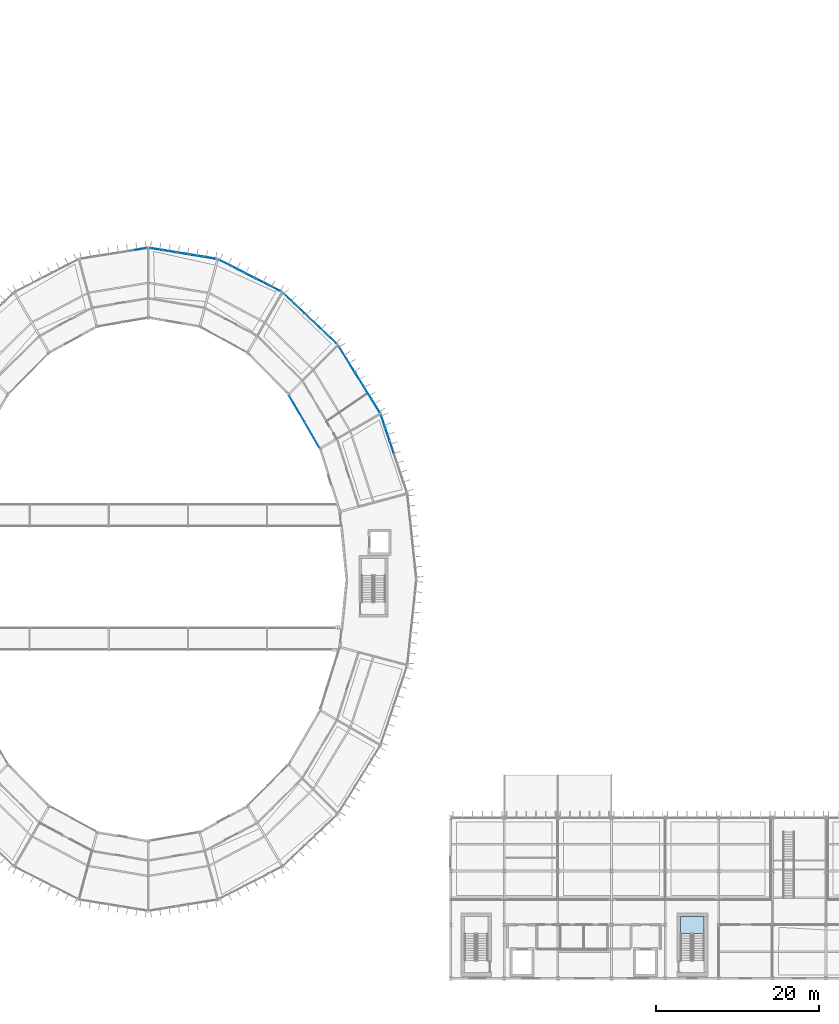
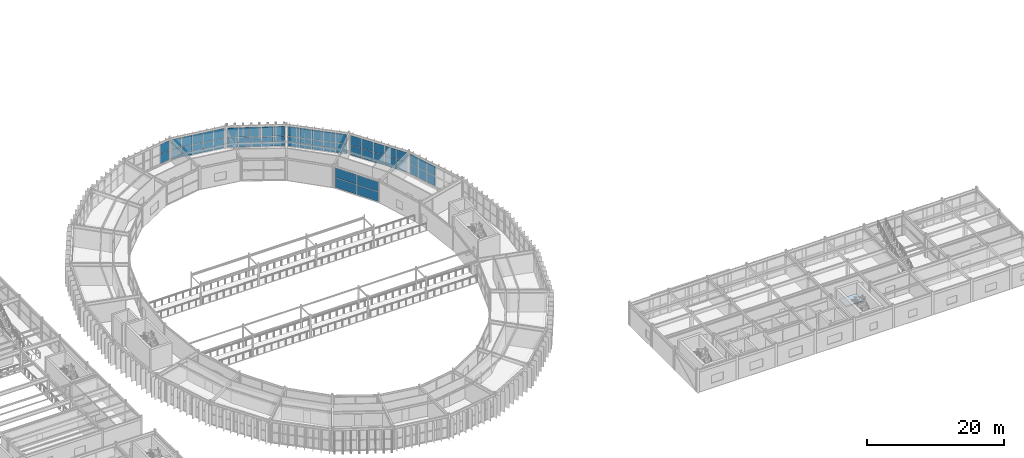
# One storey, part 105 of 148: 52 plates, 1 slab, 8 elements without a shape of their own.
"""IFC4 building model written with IfcOpenShell, lengths in metres."""

import ifcopenshell
import ifcopenshell.guid

model = None  # the IFC model being written
_history = None  # IfcOwnerHistory: only IFC2X3 demands one
_inside = {}  # id of a spatial element -> (the spatial element, [elements in it])
_under = {}  # id of a project, library or spatial element -> (it, [spatial elements below it])
_declared = {}  # id of a project -> (the project, [libraries it declares])
_typed = {}  # id of a type object -> (the type object, [elements of that type])
_made_of = {}  # id of a material, layer set ... -> (it, [elements and type objects made of it])


def new_model(schema):
    """Start an empty IFC model of exactly this schema.

    Asked for "IFC4X3", IfcOpenShell would pick the latest addendum, in which some entities
    have other attributes; the version numbers below select the first issue.
    IFC2X3 requires an IfcOwnerHistory on every rooted entity: one is made here for all.
    """
    global model, _history
    if schema == "IFC4X3":
        model = ifcopenshell.file(schema_version=(4, 3, 0, 0))
    else:
        model = ifcopenshell.file(schema=schema)
    _inside.clear()
    _under.clear()
    _declared.clear()
    _typed.clear()
    _made_of.clear()
    _history = None
    if model.schema == "IFC2X3":
        org = make("IfcOrganization", Name="unknown")
        user = make(
            "IfcPersonAndOrganization",
            ThePerson=make("IfcPerson", FamilyName="unknown"),
            TheOrganization=org,
        )
        app = make(
            "IfcApplication",
            ApplicationDeveloper=org,
            Version="unknown",
            ApplicationFullName="unknown",
            ApplicationIdentifier="unknown",
        )
        _history = make(
            "IfcOwnerHistory",
            OwningUser=user,
            OwningApplication=app,
            ChangeAction="ADDED",
            CreationDate=0,
        )
    return model


def make(cls, **values):
    """One entity of the class cls with the attributes given. An attribute that is None is left unset."""
    return model.create_entity(
        cls, **{name: value for name, value in values.items() if value is not None}
    )


def rooted(cls, **values):
    """An entity with a GlobalId (a new one), such as an element, a storey or a relation."""
    return make(cls, GlobalId=ifcopenshell.guid.new(), OwnerHistory=_history, **values)


def si_unit(unit_type, name, prefix=None):
    """IfcSIUnit, for example si_unit("LENGTHUNIT", "METRE", prefix="MILLI")."""
    return make("IfcSIUnit", UnitType=unit_type, Prefix=prefix, Name=name)


def assignment(units):
    """IfcUnitAssignment: the units of a project."""
    return None if units is None else make("IfcUnitAssignment", Units=units)


def point(xyz):
    """IfcCartesianPoint."""
    return None if xyz is None else make("IfcCartesianPoint", Coordinates=xyz)


def direction(xyz):
    """IfcDirection."""
    return None if xyz is None else make("IfcDirection", DirectionRatios=xyz)


def frame(location, z_axis=None, x_axis=None):
    """IfcAxis2Placement3D, a coordinate frame: its origin and axes. An axis left out is left unset."""
    return make(
        "IfcAxis2Placement3D",
        Location=point(location),
        Axis=direction(z_axis),
        RefDirection=direction(x_axis),
    )


def frame_2d(location, x_axis=None):
    """IfcAxis2Placement2D, a coordinate frame in the plane: its origin and x axis."""
    return make(
        "IfcAxis2Placement2D", Location=point(location), RefDirection=direction(x_axis)
    )


def origin():
    """The frame at (0, 0, 0) with its axes left unset."""
    return frame((0.0, 0.0, 0.0))


def origin_2d():
    """The frame at (0, 0) in the plane with its x axis left unset."""
    return frame_2d((0.0, 0.0))


def place(relative_to, where):
    """IfcLocalPlacement: puts the frame where relative to a parent placement (None: the world)."""
    return make(
        "IfcLocalPlacement", PlacementRelTo=relative_to, RelativePlacement=where
    )


def context(
    kind, dimensions, precision=None, world=None, true_north=None, identifier=None
):
    """IfcGeometricRepresentationContext, for example the 3D "Model" context."""
    return make(
        "IfcGeometricRepresentationContext",
        ContextIdentifier=identifier,
        ContextType=kind,
        CoordinateSpaceDimension=dimensions,
        Precision=precision,
        WorldCoordinateSystem=world,
        TrueNorth=true_north,
    )


def subcontext(parent, identifier, kind, view, scale=None):
    """IfcGeometricRepresentationSubContext, for example "Body" below "Model"."""
    return make(
        "IfcGeometricRepresentationSubContext",
        ContextIdentifier=identifier,
        ContextType=kind,
        ParentContext=parent,
        TargetScale=scale,
        TargetView=view,
    )


def project(units=None, contexts=None):
    """IfcProject with its units and contexts."""
    return rooted(
        "IfcProject",
        Name="project",
        RepresentationContexts=contexts,
        UnitsInContext=assignment(units),
    )


def spatial(cls, under=None, at=None, **own):
    """A site, building, storey or space (cls), placed at a placement, below another one or the project."""
    s = rooted(cls, ObjectPlacement=at, **own)
    if under is not None:
        _under.setdefault(under.id(), (under, []))[1].append(s)
    return s


def polyline(points):
    """IfcPolyline through the points."""
    return make("IfcPolyline", Points=[point(p) for p in points])


def profile(cls, at=None, kind="AREA", **sizes):
    """A parametric profile (cls). Its sizes go by their IFC names, for example OverallWidth=200.0."""
    return make(cls, ProfileType=kind, Position=at, **sizes)


def rectangle(**sizes):
    """IfcRectangleProfileDef."""
    return profile("IfcRectangleProfileDef", **sizes)


def outline(outer, holes=None, kind="AREA"):
    """IfcArbitraryClosedProfileDef: a profile drawn as a closed curve; with holes, ...WithVoids."""
    if holes is None:
        return make("IfcArbitraryClosedProfileDef", ProfileType=kind, OuterCurve=outer)
    return make(
        "IfcArbitraryProfileDefWithVoids",
        ProfileType=kind,
        OuterCurve=outer,
        InnerCurves=holes,
    )


def extrude(swept, where, along, depth):
    """IfcExtrudedAreaSolid: the profile swept, set in the frame where, extruded along a direction by depth."""
    return make(
        "IfcExtrudedAreaSolid",
        SweptArea=swept,
        Position=where,
        ExtrudedDirection=direction(along),
        Depth=depth,
    )


def shape(context_of_items, identifier, shape_type, items):
    """IfcShapeRepresentation: the items that make up one representation, for example the "Body"."""
    return make(
        "IfcShapeRepresentation",
        ContextOfItems=context_of_items,
        RepresentationIdentifier=identifier,
        RepresentationType=shape_type,
        Items=items,
    )


def material(Name=None, Category=None):
    """IfcMaterial."""
    return make("IfcMaterial", Name=Name, Category=Category)


def layer(
    of_material, thickness, ventilated=None, Name=None, Category=None, Priority=None
):
    """IfcMaterialLayer: one layer of a wall or slab, of a material (None: an air gap)."""
    return make(
        "IfcMaterialLayer",
        Material=of_material,
        LayerThickness=thickness,
        IsVentilated=ventilated,
        Name=Name,
        Category=Category,
        Priority=Priority,
    )


def layer_set(layers, Name=None):
    """IfcMaterialLayerSet."""
    return make("IfcMaterialLayerSet", MaterialLayers=layers, LayerSetName=Name)


def made_of(thing, what):
    """Note that an element or type object is made of a material, layer set ...; save() writes the relation."""
    if what is not None:
        _made_of.setdefault(what.id(), (what, []))[1].append(thing)
    return thing


def type_object(cls, material=None, **own):
    """A type object (cls), such as IfcWallType, which elements share."""
    return made_of(rooted(cls, **own), material)


def element(
    cls,
    number,
    at=None,
    inside=None,
    cuts=None,
    type_object=None,
    material=None,
    context=None,
    identifier="Body",
    shape_type=None,
    held_by="IfcProductDefinitionShape",
    body=None,
    shapes=None,
    **own,
):
    """One element of the class cls, such as IfcWall. Its Tag is "e" and its number.

    at: its placement. inside: the storey or other place that contains it. cuts: it is an
    opening in that element (IfcRelVoidsElement). A single representation is given by context,
    identifier, shape_type and body (its items); several are given by shapes. held_by: the class
    of the entity that holds the representations. save() writes the other relations.
    """
    e = rooted(cls, Tag="e%d" % number, ObjectPlacement=at, **own)
    if body is not None:
        shapes = [shape(context, identifier, shape_type, body)]
    if shapes is not None:
        e.Representation = make(held_by, Representations=shapes)
    if inside is not None:
        _inside.setdefault(inside.id(), (inside, []))[1].append(e)
    if cuts is not None:
        rooted(
            "IfcRelVoidsElement", RelatingBuildingElement=cuts, RelatedOpeningElement=e
        )
    if type_object is not None:
        _typed.setdefault(type_object.id(), (type_object, []))[1].append(e)
    return made_of(e, material)


def aggregate(whole, parts):
    """IfcRelAggregates: a whole, such as a stair, and the parts it consists of."""
    return rooted("IfcRelAggregates", RelatingObject=whole, RelatedObjects=parts)


def save(model, path):
    """Write the relations noted so far, then the file.

    IfcRelAggregates (storeys below a building ...), IfcRelContainedInSpatialStructure (elements
    in a storey), IfcRelDefinesByType, IfcRelAssociatesMaterial and IfcRelDeclares: one each for
    every whole, place, type object, material and project.
    """
    for whole, parts in _under.values():
        aggregate(whole, parts)
    for where, things in _inside.values():
        rooted(
            "IfcRelContainedInSpatialStructure",
            RelatedElements=things,
            RelatingStructure=where,
        )
    for kind, things in _typed.values():
        rooted("IfcRelDefinesByType", RelatedObjects=things, RelatingType=kind)
    for what, things in _made_of.values():
        rooted("IfcRelAssociatesMaterial", RelatedObjects=things, RelatingMaterial=what)
    for by, libraries in _declared.values():
        rooted("IfcRelDeclares", RelatingContext=by, RelatedDefinitions=libraries)
    model.write(path)


model = new_model("IFC4")

# Units and contexts
model_context = context("Model", 3, precision=1e-05, world=origin(), true_north=direction((0.0, 1.0)))
body_context = subcontext(model_context, "Body", "Model", "MODEL_VIEW")
ifc_project = project(units=[si_unit("LENGTHUNIT", "METRE"), si_unit("AREAUNIT", "SQUARE_METRE"), si_unit("VOLUMEUNIT", "CUBIC_METRE"), si_unit("PLANEANGLEUNIT", "RADIAN"), si_unit("MASSUNIT", "GRAM", prefix="KILO")], contexts=[model_context])

# Site, building, storey
site_placement = place(None, origin())
site = spatial("IfcSite", under=ifc_project, at=site_placement, CompositionType="ELEMENT")
building_placement = place(site_placement, origin())
building = spatial("IfcBuilding", under=site, at=building_placement, Name="Karori Crest Natural Sciences Institute", CompositionType="ELEMENT")
storey_placement = place(building_placement, frame((0.0, 0.0, 4.89990234375)))
storey = spatial("IfcBuildingStorey", under=building, at=storey_placement, Name="L01", CompositionType="ELEMENT", Elevation=4.89990234375)

# Curtain wall, plates
ifc_material_1 = material(Name="Anodised architectural aluminium 6063-T6", Category="aluminium")
curtain_wall_type_1 = type_object("IfcCurtainWallType", Name="CWT-13", PredefinedType="NOTDEFINED", material=ifc_material_1)
curtain_wall_1_placement = place(storey_placement, origin())
curtain_wall_1 = element("IfcCurtainWall", 1, at=curtain_wall_1_placement, inside=storey, type_object=curtain_wall_type_1, Name="Curtain wall CW-0034", PredefinedType="NOTDEFINED")
ifc_material_2 = material(Name="Double low-E laminated glass", Category="glass")
ifc_layer_1 = layer(ifc_material_2, 0.02392578125, Name="Double low-E laminated glass")
ifc_layer_set_1 = layer_set([ifc_layer_1], Name="Double low-E laminated glass")
plate_type_1 = type_object("IfcPlateType", Name="CWP-01", PredefinedType="CURTAIN_PANEL", material=ifc_layer_set_1)
plate_1_placement = place(storey_placement, frame((86.525390625, 67.7294921875, 0.06005859375), z_axis=(0.0, 0.0, 1.0), x_axis=(-0.502659683982, 0.864484379326, 0.0)))
plate_1 = element("IfcPlate", 2, at=plate_1_placement, type_object=plate_type_1, Name="CW-0034 panel 1.1", PredefinedType="CURTAIN_PANEL", context=body_context, shape_type="SweptSolid", body=[
    extrude(rectangle(XDim=3.602294921875, YDim=0.02392578125, at=origin_2d()), origin(), (0.0, 0.0, 1.0), 1.735107421875),
])
plate_2_placement = place(storey_placement, frame((86.525390625, 67.7294921875, 1.85498046875), z_axis=(0.0, 0.0, 1.0), x_axis=(-0.502659683982, 0.864484379326, 0.0)))
plate_2 = element("IfcPlate", 3, at=plate_2_placement, type_object=plate_type_1, Name="CW-0034 panel 1.2", PredefinedType="CURTAIN_PANEL", context=body_context, shape_type="SweptSolid", body=[
    extrude(rectangle(XDim=3.602294921875, YDim=0.02392578125, at=origin_2d()), origin(), (0.0, 0.0, 1.0), 1.735107421875),
])
plate_3_placement = place(storey_placement, frame((84.68212890625, 70.899658203125, 0.06005859375), z_axis=(0.0, 0.0, 1.0), x_axis=(-0.502659683982, 0.864484379326, 0.0)))
plate_3 = element("IfcPlate", 4, at=plate_3_placement, type_object=plate_type_1, Name="CW-0034 panel 2.1", PredefinedType="CURTAIN_PANEL", context=body_context, shape_type="SweptSolid", body=[
    extrude(rectangle(XDim=3.602294921875, YDim=0.02392578125, at=origin_2d()), origin(), (0.0, 0.0, 1.0), 1.735107421875),
])
plate_4_placement = place(storey_placement, frame((84.68212890625, 70.899658203125, 1.85498046875), z_axis=(0.0, 0.0, 1.0), x_axis=(-0.502659683982, 0.864484379326, 0.0)))
plate_4 = element("IfcPlate", 5, at=plate_4_placement, type_object=plate_type_1, Name="CW-0034 panel 2.2", PredefinedType="CURTAIN_PANEL", context=body_context, shape_type="SweptSolid", body=[
    extrude(rectangle(XDim=3.602294921875, YDim=0.02392578125, at=origin_2d()), origin(), (0.0, 0.0, 1.0), 1.735107421875),
])
aggregate(curtain_wall_1, [plate_1, plate_2, plate_3, plate_4])

curtain_wall_type_2 = type_object("IfcCurtainWallType", Name="CWT-04", PredefinedType="NOTDEFINED", material=ifc_material_1)
curtain_wall_2_placement = place(storey_placement, origin())
curtain_wall_2 = element("IfcCurtainWall", 6, at=curtain_wall_2_placement, inside=storey, type_object=curtain_wall_type_2, Name="Curtain wall CW-0035", PredefinedType="NOTDEFINED")
plate_5_placement = place(storey_placement, frame((83.6962890625, 84.478271484375, 0.06005859375), z_axis=(0.0, 0.0, 1.0), x_axis=(0.725477446992, -0.688245939986, 0.0)))
plate_5 = element("IfcPlate", 7, at=plate_5_placement, type_object=plate_type_1, Name="CW-0035 panel 1.1", PredefinedType="CURTAIN_PANEL", context=body_context, shape_type="SweptSolid", body=[
    extrude(rectangle(XDim=1.694091796875, YDim=0.02392578125, at=origin_2d()), origin(), (0.0, 0.0, 1.0), 1.722412109375),
])
plate_6_placement = place(storey_placement, frame((83.6962890625, 84.478271484375, 1.8427734375), z_axis=(0.0, 0.0, 1.0), x_axis=(0.725477446992, -0.688245939986, 0.0)))
plate_6 = element("IfcPlate", 8, at=plate_6_placement, type_object=plate_type_1, Name="CW-0035 panel 1.2", PredefinedType="CURTAIN_PANEL", context=body_context, shape_type="SweptSolid", body=[
    extrude(rectangle(XDim=1.694091796875, YDim=0.02392578125, at=origin_2d()), origin(), (0.0, 0.0, 1.0), 1.722412109375),
])
plate_7_placement = place(storey_placement, frame((84.993408203125, 83.247802734375, 0.06005859375), z_axis=(0.0, 0.0, 1.0), x_axis=(0.725477446992, -0.688245939986, 0.0)))
plate_7 = element("IfcPlate", 9, at=plate_7_placement, type_object=plate_type_1, Name="CW-0035 panel 2.1", PredefinedType="CURTAIN_PANEL", context=body_context, shape_type="SweptSolid", body=[
    extrude(rectangle(XDim=1.7314453125, YDim=0.02392578125, at=origin_2d()), origin(), (0.0, 0.0, 1.0), 1.722412109375),
])
plate_8_placement = place(storey_placement, frame((84.993408203125, 83.247802734375, 1.8427734375), z_axis=(0.0, 0.0, 1.0), x_axis=(0.725477446992, -0.688245939986, 0.0)))
plate_8 = element("IfcPlate", 10, at=plate_8_placement, type_object=plate_type_1, Name="CW-0035 panel 2.2", PredefinedType="CURTAIN_PANEL", context=body_context, shape_type="SweptSolid", body=[
    extrude(rectangle(XDim=1.7314453125, YDim=0.02392578125, at=origin_2d()), origin(), (0.0, 0.0, 1.0), 1.722412109375),
])
plate_9_placement = place(storey_placement, frame((86.303955078125, 82.00439453125, 0.06005859375), z_axis=(0.0, 0.0, 1.0), x_axis=(0.725477446992, -0.688245939986, 0.0)))
plate_9 = element("IfcPlate", 11, at=plate_9_placement, type_object=plate_type_1, Name="CW-0035 panel 3.1", PredefinedType="CURTAIN_PANEL", context=body_context, shape_type="SweptSolid", body=[
    extrude(rectangle(XDim=1.7314453125, YDim=0.02392578125, at=origin_2d()), origin(), (0.0, 0.0, 1.0), 1.722412109375),
])
plate_10_placement = place(storey_placement, frame((86.303955078125, 82.00439453125, 1.8427734375), z_axis=(0.0, 0.0, 1.0), x_axis=(0.725477446992, -0.688245939986, 0.0)))
plate_10 = element("IfcPlate", 12, at=plate_10_placement, type_object=plate_type_1, Name="CW-0035 panel 3.2", PredefinedType="CURTAIN_PANEL", context=body_context, shape_type="SweptSolid", body=[
    extrude(rectangle(XDim=1.7314453125, YDim=0.02392578125, at=origin_2d()), origin(), (0.0, 0.0, 1.0), 1.722412109375),
])
plate_11_placement = place(storey_placement, frame((87.614501953125, 80.76123046875, 0.06005859375), z_axis=(0.0, 0.0, 1.0), x_axis=(0.725477446992, -0.688245939986, 0.0)))
plate_11 = element("IfcPlate", 13, at=plate_11_placement, type_object=plate_type_1, Name="CW-0035 panel 4.1", PredefinedType="CURTAIN_PANEL", context=body_context, shape_type="SweptSolid", body=[
    extrude(rectangle(XDim=1.7314453125, YDim=0.02392578125, at=origin_2d()), origin(), (0.0, 0.0, 1.0), 1.722412109375),
])
plate_12_placement = place(storey_placement, frame((87.614501953125, 80.76123046875, 1.8427734375), z_axis=(0.0, 0.0, 1.0), x_axis=(0.725477446992, -0.688245939986, 0.0)))
plate_12 = element("IfcPlate", 14, at=plate_12_placement, type_object=plate_type_1, Name="CW-0035 panel 4.2", PredefinedType="CURTAIN_PANEL", context=body_context, shape_type="SweptSolid", body=[
    extrude(rectangle(XDim=1.7314453125, YDim=0.02392578125, at=origin_2d()), origin(), (0.0, 0.0, 1.0), 1.722412109375),
])
plate_13_placement = place(storey_placement, frame((88.91162109375, 79.53076171875, 0.06005859375), z_axis=(0.0, 0.0, 1.0), x_axis=(0.725477446992, -0.688245939986, 0.0)))
plate_13 = element("IfcPlate", 15, at=plate_13_placement, type_object=plate_type_1, Name="CW-0035 panel 5.1", PredefinedType="CURTAIN_PANEL", context=body_context, shape_type="SweptSolid", body=[
    extrude(rectangle(XDim=1.694091796875, YDim=0.02392578125, at=origin_2d()), origin(), (0.0, 0.0, 1.0), 1.722412109375),
])
plate_14_placement = place(storey_placement, frame((88.91162109375, 79.53076171875, 1.8427734375), z_axis=(0.0, 0.0, 1.0), x_axis=(0.725477446992, -0.688245939986, 0.0)))
plate_14 = element("IfcPlate", 16, at=plate_14_placement, type_object=plate_type_1, Name="CW-0035 panel 5.2", PredefinedType="CURTAIN_PANEL", context=body_context, shape_type="SweptSolid", body=[
    extrude(rectangle(XDim=1.694091796875, YDim=0.02392578125, at=origin_2d()), origin(), (0.0, 0.0, 1.0), 1.722412109375),
])
aggregate(curtain_wall_2, [plate_5, plate_6, plate_7, plate_8, plate_9, plate_10, plate_11, plate_12, plate_13, plate_14])

curtain_wall_type_3 = type_object("IfcCurtainWallType", Name="CWT-07", PredefinedType="NOTDEFINED", material=ifc_material_1)
curtain_wall_3_placement = place(storey_placement, origin())
curtain_wall_3 = element("IfcCurtainWall", 17, at=curtain_wall_3_placement, inside=storey, type_object=curtain_wall_type_3, Name="Curtain wall CW-0039", PredefinedType="NOTDEFINED")
plate_15_placement = place(storey_placement, frame((65.406494140625, 90.538330078125, 0.06494140625), z_axis=(0.0, 0.0, 1.0), x_axis=(0.987010371927, 0.1606565458, 0.0)))
plate_15 = element("IfcPlate", 18, at=plate_15_placement, type_object=plate_type_1, Name="CW-0039 panel 5.1", PredefinedType="CURTAIN_PANEL", context=body_context, shape_type="SweptSolid", body=[
    extrude(rectangle(XDim=1.552001953125, YDim=0.02392578125, at=origin_2d()), origin(), (0.0, 0.0, 1.0), 1.715087890625),
])
plate_16_placement = place(storey_placement, frame((65.406494140625, 90.538330078125, 1.84521484375), z_axis=(0.0, 0.0, 1.0), x_axis=(0.987010371927, 0.1606565458, 0.0)))
plate_16 = element("IfcPlate", 19, at=plate_16_placement, type_object=plate_type_1, Name="CW-0039 panel 5.2", PredefinedType="CURTAIN_PANEL", context=body_context, shape_type="SweptSolid", body=[
    extrude(rectangle(XDim=1.552001953125, YDim=0.02392578125, at=origin_2d()), origin(), (0.0, 0.0, 1.0), 1.715087890625),
])
aggregate(curtain_wall_3, [plate_15, plate_16])

curtain_wall_type_4 = type_object("IfcCurtainWallType", Name="CWT-02", PredefinedType="NOTDEFINED", material=ifc_material_1)
curtain_wall_4_placement = place(storey_placement, origin())
curtain_wall_4 = element("IfcCurtainWall", 20, at=curtain_wall_4_placement, inside=storey, type_object=curtain_wall_type_4, Name="Curtain wall CW-0032", PredefinedType="NOTDEFINED")
ifc_layer_2 = layer(ifc_material_2, 0.033935546875, Name="Double low-E laminated glass")
ifc_layer_set_2 = layer_set([ifc_layer_2], Name="Double low-E laminated glass")
plate_type_2 = type_object("IfcPlateType", Name="CWP-02", PredefinedType="CURTAIN_PANEL", material=ifc_layer_set_2)
plate_17_placement = place(storey_placement, frame((95.301513671875, 69.337158203125, 0.06005859375), z_axis=(0.0, 0.0, 1.0), x_axis=(0.317685267462, -0.948196219586, 0.0)))
plate_17 = element("IfcPlate", 21, at=plate_17_placement, type_object=plate_type_2, Name="CW-0032 panel 1.1", PredefinedType="CURTAIN_PANEL", context=body_context, shape_type="SweptSolid", body=[
    extrude(rectangle(XDim=1.561279296875, YDim=0.033935546875, at=origin_2d()), origin(), (0.0, 0.0, 1.0), 1.722412109375),
])
plate_18_placement = place(storey_placement, frame((95.301513671875, 69.337158203125, 1.8427734375), z_axis=(0.0, 0.0, 1.0), x_axis=(0.317685267462, -0.948196219586, 0.0)))
plate_18 = element("IfcPlate", 22, at=plate_18_placement, type_object=plate_type_2, Name="CW-0032 panel 1.2", PredefinedType="CURTAIN_PANEL", context=body_context, shape_type="SweptSolid", body=[
    extrude(rectangle(XDim=1.561279296875, YDim=0.033935546875, at=origin_2d()), origin(), (0.0, 0.0, 1.0), 1.722412109375),
])
plate_19_placement = place(storey_placement, frame((95.8271484375, 67.767822265625, 0.06005859375), z_axis=(0.0, 0.0, 1.0), x_axis=(0.317685267462, -0.948196219586, 0.0)))
plate_19 = element("IfcPlate", 23, at=plate_19_placement, type_object=plate_type_2, Name="CW-0032 panel 2.1", PredefinedType="CURTAIN_PANEL", context=body_context, shape_type="SweptSolid", body=[
    extrude(rectangle(XDim=1.5986328125, YDim=0.033935546875, at=origin_2d()), origin(), (0.0, 0.0, 1.0), 1.722412109375),
])
plate_20_placement = place(storey_placement, frame((95.8271484375, 67.767822265625, 1.8427734375), z_axis=(0.0, 0.0, 1.0), x_axis=(0.317685267462, -0.948196219586, 0.0)))
plate_20 = element("IfcPlate", 24, at=plate_20_placement, type_object=plate_type_2, Name="CW-0032 panel 2.2", PredefinedType="CURTAIN_PANEL", context=body_context, shape_type="SweptSolid", body=[
    extrude(rectangle(XDim=1.5986328125, YDim=0.033935546875, at=origin_2d()), origin(), (0.0, 0.0, 1.0), 1.722412109375),
])
plate_21_placement = place(storey_placement, frame((96.35888671875, 66.180908203125, 0.06005859375), z_axis=(0.0, 0.0, 1.0), x_axis=(0.317685267462, -0.948196219586, 0.0)))
plate_21 = element("IfcPlate", 25, at=plate_21_placement, type_object=plate_type_2, Name="CW-0032 panel 3.1", PredefinedType="CURTAIN_PANEL", context=body_context, shape_type="SweptSolid", body=[
    extrude(rectangle(XDim=1.5986328125, YDim=0.033935546875, at=origin_2d()), origin(), (0.0, 0.0, 1.0), 1.722412109375),
])
plate_22_placement = place(storey_placement, frame((96.35888671875, 66.180908203125, 1.8427734375), z_axis=(0.0, 0.0, 1.0), x_axis=(0.317685267462, -0.948196219586, 0.0)))
plate_22 = element("IfcPlate", 26, at=plate_22_placement, type_object=plate_type_2, Name="CW-0032 panel 3.2", PredefinedType="CURTAIN_PANEL", context=body_context, shape_type="SweptSolid", body=[
    extrude(rectangle(XDim=1.5986328125, YDim=0.033935546875, at=origin_2d()), origin(), (0.0, 0.0, 1.0), 1.722412109375),
])
aggregate(curtain_wall_4, [plate_17, plate_18, plate_19, plate_20, plate_21, plate_22])

curtain_wall_type_5 = type_object("IfcCurtainWallType", Name="CWT-05", PredefinedType="NOTDEFINED", material=ifc_material_1)
curtain_wall_5_placement = place(storey_placement, origin())
curtain_wall_5 = element("IfcCurtainWall", 27, at=curtain_wall_5_placement, inside=storey, type_object=curtain_wall_type_5, Name="Curtain wall CW-0036", PredefinedType="NOTDEFINED")
plate_23_placement = place(storey_placement, frame((75.8662109375, 88.8359375, 0.06494140625), z_axis=(0.0, 0.0, 1.0), x_axis=(0.890065326982, -0.455832988828, 0.0)))
plate_23 = element("IfcPlate", 28, at=plate_23_placement, type_object=plate_type_2, Name="CW-0036 panel 1.1", PredefinedType="CURTAIN_PANEL", context=body_context, shape_type="SweptSolid", body=[
    extrude(rectangle(XDim=1.608642578125, YDim=0.033935546875, at=origin_2d()), origin(), (0.0, 0.0, 1.0), 1.715087890625),
])
plate_24_placement = place(storey_placement, frame((75.8662109375, 88.8359375, 1.84521484375), z_axis=(0.0, 0.0, 1.0), x_axis=(0.890065326982, -0.455832988828, 0.0)))
plate_24 = element("IfcPlate", 29, at=plate_24_placement, type_object=plate_type_2, Name="CW-0036 panel 1.2", PredefinedType="CURTAIN_PANEL", context=body_context, shape_type="SweptSolid", body=[
    extrude(rectangle(XDim=1.608642578125, YDim=0.033935546875, at=origin_2d()), origin(), (0.0, 0.0, 1.0), 1.715087890625),
])
plate_25_placement = place(storey_placement, frame((77.38134765625, 88.06005859375, 0.06494140625), z_axis=(0.0, 0.0, 1.0), x_axis=(0.890065326982, -0.455832988828, 0.0)))
plate_25 = element("IfcPlate", 30, at=plate_25_placement, type_object=plate_type_2, Name="CW-0036 panel 2.1", PredefinedType="CURTAIN_PANEL", context=body_context, shape_type="SweptSolid", body=[
    extrude(rectangle(XDim=1.646240234375, YDim=0.033935546875, at=origin_2d()), origin(), (0.0, 0.0, 1.0), 1.715087890625),
])
plate_26_placement = place(storey_placement, frame((77.38134765625, 88.06005859375, 1.84521484375), z_axis=(0.0, 0.0, 1.0), x_axis=(0.890065326982, -0.455832988828, 0.0)))
plate_26 = element("IfcPlate", 31, at=plate_26_placement, type_object=plate_type_2, Name="CW-0036 panel 2.2", PredefinedType="CURTAIN_PANEL", context=body_context, shape_type="SweptSolid", body=[
    extrude(rectangle(XDim=1.646240234375, YDim=0.033935546875, at=origin_2d()), origin(), (0.0, 0.0, 1.0), 1.715087890625),
])
plate_27_placement = place(storey_placement, frame((78.913330078125, 87.275390625, 0.06494140625), z_axis=(0.0, 0.0, 1.0), x_axis=(0.890065326982, -0.455832988828, 0.0)))
plate_27 = element("IfcPlate", 32, at=plate_27_placement, type_object=plate_type_2, Name="CW-0036 panel 3.1", PredefinedType="CURTAIN_PANEL", context=body_context, shape_type="SweptSolid", body=[
    extrude(rectangle(XDim=1.646240234375, YDim=0.033935546875, at=origin_2d()), origin(), (0.0, 0.0, 1.0), 1.715087890625),
])
plate_28_placement = place(storey_placement, frame((78.913330078125, 87.275390625, 1.84521484375), z_axis=(0.0, 0.0, 1.0), x_axis=(0.890065326982, -0.455832988828, 0.0)))
plate_28 = element("IfcPlate", 33, at=plate_28_placement, type_object=plate_type_2, Name="CW-0036 panel 3.2", PredefinedType="CURTAIN_PANEL", context=body_context, shape_type="SweptSolid", body=[
    extrude(rectangle(XDim=1.646240234375, YDim=0.033935546875, at=origin_2d()), origin(), (0.0, 0.0, 1.0), 1.715087890625),
])
plate_29_placement = place(storey_placement, frame((80.445556640625, 86.49072265625, 0.06494140625), z_axis=(0.0, 0.0, 1.0), x_axis=(0.890065326982, -0.455832988828, 0.0)))
plate_29 = element("IfcPlate", 34, at=plate_29_placement, type_object=plate_type_2, Name="CW-0036 panel 4.1", PredefinedType="CURTAIN_PANEL", context=body_context, shape_type="SweptSolid", body=[
    extrude(rectangle(XDim=1.646240234375, YDim=0.033935546875, at=origin_2d()), origin(), (0.0, 0.0, 1.0), 1.715087890625),
])
plate_30_placement = place(storey_placement, frame((80.445556640625, 86.49072265625, 1.84521484375), z_axis=(0.0, 0.0, 1.0), x_axis=(0.890065326982, -0.455832988828, 0.0)))
plate_30 = element("IfcPlate", 35, at=plate_30_placement, type_object=plate_type_2, Name="CW-0036 panel 4.2", PredefinedType="CURTAIN_PANEL", context=body_context, shape_type="SweptSolid", body=[
    extrude(rectangle(XDim=1.646240234375, YDim=0.033935546875, at=origin_2d()), origin(), (0.0, 0.0, 1.0), 1.715087890625),
])
plate_31_placement = place(storey_placement, frame((81.960693359375, 85.71484375, 0.06494140625), z_axis=(0.0, 0.0, 1.0), x_axis=(0.890065326982, -0.455832988828, 0.0)))
plate_31 = element("IfcPlate", 36, at=plate_31_placement, type_object=plate_type_2, Name="CW-0036 panel 5.1", PredefinedType="CURTAIN_PANEL", context=body_context, shape_type="SweptSolid", body=[
    extrude(rectangle(XDim=1.608642578125, YDim=0.033935546875, at=origin_2d()), origin(), (0.0, 0.0, 1.0), 1.715087890625),
])
plate_32_placement = place(storey_placement, frame((81.960693359375, 85.71484375, 1.84521484375), z_axis=(0.0, 0.0, 1.0), x_axis=(0.890065326982, -0.455832988828, 0.0)))
plate_32 = element("IfcPlate", 37, at=plate_32_placement, type_object=plate_type_2, Name="CW-0036 panel 5.2", PredefinedType="CURTAIN_PANEL", context=body_context, shape_type="SweptSolid", body=[
    extrude(rectangle(XDim=1.608642578125, YDim=0.033935546875, at=origin_2d()), origin(), (0.0, 0.0, 1.0), 1.715087890625),
])
aggregate(curtain_wall_5, [plate_23, plate_24, plate_25, plate_26, plate_27, plate_28, plate_29, plate_30, plate_31, plate_32])

curtain_wall_type_6 = type_object("IfcCurtainWallType", Name="CWT-03", PredefinedType="NOTDEFINED", material=ifc_material_1)
curtain_wall_6_placement = place(storey_placement, origin())
curtain_wall_6 = element("IfcCurtainWall", 38, at=curtain_wall_6_placement, inside=storey, type_object=curtain_wall_type_6, Name="Curtain wall CW-0033", PredefinedType="NOTDEFINED")
ifc_layer_3 = layer(ifc_material_2, 0.0439453125, Name="Double low-E laminated glass")
ifc_layer_set_3 = layer_set([ifc_layer_3], Name="Double low-E laminated glass")
plate_type_3 = type_object("IfcPlateType", Name="CWP-03", PredefinedType="CURTAIN_PANEL", material=ifc_layer_set_3)
plate_33_placement = place(storey_placement, frame((90.350830078125, 77.757080078125, 0.06494140625), z_axis=(0.0, 0.0, 1.0), x_axis=(0.527321609902, -0.849665769424, 0.0)))
plate_33 = element("IfcPlate", 39, at=plate_33_placement, type_object=plate_type_3, Name="CW-0033 panel 1.1", PredefinedType="CURTAIN_PANEL", context=body_context, shape_type="SweptSolid", body=[
    extrude(rectangle(XDim=1.806396484375, YDim=0.0439453125, at=origin_2d()), origin(), (0.0, 0.0, 1.0), 1.715087890625),
])
plate_34_placement = place(storey_placement, frame((90.350830078125, 77.757080078125, 1.84521484375), z_axis=(0.0, 0.0, 1.0), x_axis=(0.527321609902, -0.849665769424, 0.0)))
plate_34 = element("IfcPlate", 40, at=plate_34_placement, type_object=plate_type_3, Name="CW-0033 panel 1.2", PredefinedType="CURTAIN_PANEL", context=body_context, shape_type="SweptSolid", body=[
    extrude(rectangle(XDim=1.806396484375, YDim=0.0439453125, at=origin_2d()), origin(), (0.0, 0.0, 1.0), 1.715087890625),
])
plate_35_placement = place(storey_placement, frame((91.352783203125, 76.142578125, 0.06494140625), z_axis=(0.0, 0.0, 1.0), x_axis=(0.527321609902, -0.849665769424, 0.0)))
plate_35 = element("IfcPlate", 41, at=plate_35_placement, type_object=plate_type_3, Name="CW-0033 panel 2.1", PredefinedType="CURTAIN_PANEL", context=body_context, shape_type="SweptSolid", body=[
    extrude(rectangle(XDim=1.843994140625, YDim=0.0439453125, at=origin_2d()), origin(), (0.0, 0.0, 1.0), 1.715087890625),
])
plate_36_placement = place(storey_placement, frame((91.352783203125, 76.142578125, 1.84521484375), z_axis=(0.0, 0.0, 1.0), x_axis=(0.527321609902, -0.849665769424, 0.0)))
plate_36 = element("IfcPlate", 42, at=plate_36_placement, type_object=plate_type_3, Name="CW-0033 panel 2.2", PredefinedType="CURTAIN_PANEL", context=body_context, shape_type="SweptSolid", body=[
    extrude(rectangle(XDim=1.843994140625, YDim=0.0439453125, at=origin_2d()), origin(), (0.0, 0.0, 1.0), 1.715087890625),
])
plate_37_placement = place(storey_placement, frame((92.36474609375, 74.511962890625, 0.06494140625), z_axis=(0.0, 0.0, 1.0), x_axis=(0.527321609902, -0.849665769424, 0.0)))
plate_37 = element("IfcPlate", 43, at=plate_37_placement, type_object=plate_type_3, Name="CW-0033 panel 3.1", PredefinedType="CURTAIN_PANEL", context=body_context, shape_type="SweptSolid", body=[
    extrude(rectangle(XDim=1.843994140625, YDim=0.0439453125, at=origin_2d()), origin(), (0.0, 0.0, 1.0), 1.715087890625),
])
plate_38_placement = place(storey_placement, frame((92.36474609375, 74.511962890625, 1.84521484375), z_axis=(0.0, 0.0, 1.0), x_axis=(0.527321609902, -0.849665769424, 0.0)))
plate_38 = element("IfcPlate", 44, at=plate_38_placement, type_object=plate_type_3, Name="CW-0033 panel 3.2", PredefinedType="CURTAIN_PANEL", context=body_context, shape_type="SweptSolid", body=[
    extrude(rectangle(XDim=1.843994140625, YDim=0.0439453125, at=origin_2d()), origin(), (0.0, 0.0, 1.0), 1.715087890625),
])
plate_39_placement = place(storey_placement, frame((93.37646484375, 72.881591796875, 0.06494140625), z_axis=(0.0, 0.0, 1.0), x_axis=(0.527321609902, -0.849665769424, 0.0)))
plate_39 = element("IfcPlate", 45, at=plate_39_placement, type_object=plate_type_3, Name="CW-0033 panel 4.1", PredefinedType="CURTAIN_PANEL", context=body_context, shape_type="SweptSolid", body=[
    extrude(rectangle(XDim=1.843994140625, YDim=0.0439453125, at=origin_2d()), origin(), (0.0, 0.0, 1.0), 1.715087890625),
])
plate_40_placement = place(storey_placement, frame((93.37646484375, 72.881591796875, 1.84521484375), z_axis=(0.0, 0.0, 1.0), x_axis=(0.527321609902, -0.849665769424, 0.0)))
plate_40 = element("IfcPlate", 46, at=plate_40_placement, type_object=plate_type_3, Name="CW-0033 panel 4.2", PredefinedType="CURTAIN_PANEL", context=body_context, shape_type="SweptSolid", body=[
    extrude(rectangle(XDim=1.843994140625, YDim=0.0439453125, at=origin_2d()), origin(), (0.0, 0.0, 1.0), 1.715087890625),
])
plate_41_placement = place(storey_placement, frame((94.378662109375, 71.26708984375, 0.06494140625), z_axis=(0.0, 0.0, 1.0), x_axis=(0.527321609902, -0.849665769424, 0.0)))
plate_41 = element("IfcPlate", 47, at=plate_41_placement, type_object=plate_type_3, Name="CW-0033 panel 5.1", PredefinedType="CURTAIN_PANEL", context=body_context, shape_type="SweptSolid", body=[
    extrude(rectangle(XDim=1.806396484375, YDim=0.0439453125, at=origin_2d()), origin(), (0.0, 0.0, 1.0), 1.715087890625),
])
plate_42_placement = place(storey_placement, frame((94.378662109375, 71.26708984375, 1.84521484375), z_axis=(0.0, 0.0, 1.0), x_axis=(0.527321609902, -0.849665769424, 0.0)))
plate_42 = element("IfcPlate", 48, at=plate_42_placement, type_object=plate_type_3, Name="CW-0033 panel 5.2", PredefinedType="CURTAIN_PANEL", context=body_context, shape_type="SweptSolid", body=[
    extrude(rectangle(XDim=1.806396484375, YDim=0.0439453125, at=origin_2d()), origin(), (0.0, 0.0, 1.0), 1.715087890625),
])
aggregate(curtain_wall_6, [plate_33, plate_34, plate_35, plate_36, plate_37, plate_38, plate_39, plate_40, plate_41, plate_42])

curtain_wall_type_7 = type_object("IfcCurtainWallType", Name="CWT-06", PredefinedType="NOTDEFINED", material=ifc_material_1)
curtain_wall_7_placement = place(storey_placement, origin())
curtain_wall_7 = element("IfcCurtainWall", 49, at=curtain_wall_7_placement, inside=storey, type_object=curtain_wall_type_7, Name="Curtain wall CW-0038", PredefinedType="NOTDEFINED")
plate_43_placement = place(storey_placement, frame((67.39501953125, 90.5380859375, 0.06005859375), z_axis=(0.0, 0.0, 1.0), x_axis=(0.987011117908, -0.160651962718, 0.0)))
plate_43 = element("IfcPlate", 50, at=plate_43_placement, type_object=plate_type_3, Name="CW-0038 panel 1.1", PredefinedType="CURTAIN_PANEL", context=body_context, shape_type="SweptSolid", body=[
    extrude(rectangle(XDim=1.55517578125, YDim=0.0439453125, at=origin_2d()), origin(), (0.0, 0.0, 1.0), 1.722412109375),
])
plate_44_placement = place(storey_placement, frame((67.39501953125, 90.5380859375, 1.8427734375), z_axis=(0.0, 0.0, 1.0), x_axis=(0.987011117908, -0.160651962718, 0.0)))
plate_44 = element("IfcPlate", 51, at=plate_44_placement, type_object=plate_type_3, Name="CW-0038 panel 1.2", PredefinedType="CURTAIN_PANEL", context=body_context, shape_type="SweptSolid", body=[
    extrude(rectangle(XDim=1.55517578125, YDim=0.0439453125, at=origin_2d()), origin(), (0.0, 0.0, 1.0), 1.722412109375),
])
plate_45_placement = place(storey_placement, frame((69.0224609375, 90.273193359375, 0.06005859375), z_axis=(0.0, 0.0, 1.0), x_axis=(0.987011117908, -0.160651962718, 0.0)))
plate_45 = element("IfcPlate", 52, at=plate_45_placement, type_object=plate_type_3, Name="CW-0038 panel 2.1", PredefinedType="CURTAIN_PANEL", context=body_context, shape_type="SweptSolid", body=[
    extrude(rectangle(XDim=1.592529296875, YDim=0.0439453125, at=origin_2d()), origin(), (0.0, 0.0, 1.0), 1.722412109375),
])
plate_46_placement = place(storey_placement, frame((69.0224609375, 90.273193359375, 1.8427734375), z_axis=(0.0, 0.0, 1.0), x_axis=(0.987011117908, -0.160651962718, 0.0)))
plate_46 = element("IfcPlate", 53, at=plate_46_placement, type_object=plate_type_3, Name="CW-0038 panel 2.2", PredefinedType="CURTAIN_PANEL", context=body_context, shape_type="SweptSolid", body=[
    extrude(rectangle(XDim=1.592529296875, YDim=0.0439453125, at=origin_2d()), origin(), (0.0, 0.0, 1.0), 1.722412109375),
])
plate_47_placement = place(storey_placement, frame((70.668212890625, 90.00537109375, 0.06005859375), z_axis=(0.0, 0.0, 1.0), x_axis=(0.987011117908, -0.160651962718, 0.0)))
plate_47 = element("IfcPlate", 54, at=plate_47_placement, type_object=plate_type_3, Name="CW-0038 panel 3.1", PredefinedType="CURTAIN_PANEL", context=body_context, shape_type="SweptSolid", body=[
    extrude(rectangle(XDim=1.592529296875, YDim=0.0439453125, at=origin_2d()), origin(), (0.0, 0.0, 1.0), 1.722412109375),
])
plate_48_placement = place(storey_placement, frame((70.668212890625, 90.00537109375, 1.8427734375), z_axis=(0.0, 0.0, 1.0), x_axis=(0.987011117908, -0.160651962718, 0.0)))
plate_48 = element("IfcPlate", 55, at=plate_48_placement, type_object=plate_type_3, Name="CW-0038 panel 3.2", PredefinedType="CURTAIN_PANEL", context=body_context, shape_type="SweptSolid", body=[
    extrude(rectangle(XDim=1.592529296875, YDim=0.0439453125, at=origin_2d()), origin(), (0.0, 0.0, 1.0), 1.722412109375),
])
plate_49_placement = place(storey_placement, frame((72.314208984375, 89.7373046875, 0.06005859375), z_axis=(0.0, 0.0, 1.0), x_axis=(0.987011117908, -0.160651962718, 0.0)))
plate_49 = element("IfcPlate", 56, at=plate_49_placement, type_object=plate_type_3, Name="CW-0038 panel 4.1", PredefinedType="CURTAIN_PANEL", context=body_context, shape_type="SweptSolid", body=[
    extrude(rectangle(XDim=1.592529296875, YDim=0.0439453125, at=origin_2d()), origin(), (0.0, 0.0, 1.0), 1.722412109375),
])
plate_50_placement = place(storey_placement, frame((72.314208984375, 89.7373046875, 1.8427734375), z_axis=(0.0, 0.0, 1.0), x_axis=(0.987011117908, -0.160651962718, 0.0)))
plate_50 = element("IfcPlate", 57, at=plate_50_placement, type_object=plate_type_3, Name="CW-0038 panel 4.2", PredefinedType="CURTAIN_PANEL", context=body_context, shape_type="SweptSolid", body=[
    extrude(rectangle(XDim=1.592529296875, YDim=0.0439453125, at=origin_2d()), origin(), (0.0, 0.0, 1.0), 1.722412109375),
])
plate_51_placement = place(storey_placement, frame((73.941650390625, 89.472412109375, 0.06005859375), z_axis=(0.0, 0.0, 1.0), x_axis=(0.987011117908, -0.160651962718, 0.0)))
plate_51 = element("IfcPlate", 58, at=plate_51_placement, type_object=plate_type_3, Name="CW-0038 panel 5.1", PredefinedType="CURTAIN_PANEL", context=body_context, shape_type="SweptSolid", body=[
    extrude(rectangle(XDim=1.55517578125, YDim=0.0439453125, at=origin_2d()), origin(), (0.0, 0.0, 1.0), 1.722412109375),
])
plate_52_placement = place(storey_placement, frame((73.941650390625, 89.472412109375, 1.8427734375), z_axis=(0.0, 0.0, 1.0), x_axis=(0.987011117908, -0.160651962718, 0.0)))
plate_52 = element("IfcPlate", 59, at=plate_52_placement, type_object=plate_type_3, Name="CW-0038 panel 5.2", PredefinedType="CURTAIN_PANEL", context=body_context, shape_type="SweptSolid", body=[
    extrude(rectangle(XDim=1.55517578125, YDim=0.0439453125, at=origin_2d()), origin(), (0.0, 0.0, 1.0), 1.722412109375),
])
aggregate(curtain_wall_7, [plate_43, plate_44, plate_45, plate_46, plate_47, plate_48, plate_49, plate_50, plate_51, plate_52])

# Stair, slab
ifc_material_3 = material(Name="Concrete 40 MPa", Category="concrete")
stair_type = type_object("IfcStairType", Name="STT-01", PredefinedType="HALF_TURN_STAIR", material=ifc_material_3)
stair_placement = place(storey_placement, origin())
stair = element("IfcStair", 60, at=stair_placement, inside=storey, type_object=stair_type, Name="Protected stair ST-04-L01", PredefinedType="HALF_TURN_STAIR")
ifc_layer_4 = layer(ifc_material_3, 0.2099609375, Name="Concrete 40 MPa")
ifc_layer_set_4 = layer_set([ifc_layer_4], Name="Concrete 40 MPa")
slab_type = type_object("IfcSlabType", Name="SLT-11", PredefinedType="LANDING", material=ifc_layer_set_4)
slab_placement = place(storey_placement, frame((0.0, 0.0, 1.89013671875)))
slab = element("IfcSlab", 61, at=slab_placement, type_object=slab_type, Name="ST-04-L01 landing 1", PredefinedType="LANDING", context=body_context, shape_type="SweptSolid", body=[
    extrude(outline(polyline([(134.800048828125, 6.300048828125), (134.800048828125, 8.39990234375), (131.89990234375, 8.39990234375), (131.89990234375, 6.300048828125), (134.800048828125, 6.300048828125)])), origin(), (0.0, 0.0, 1.0), 0.2099609375),
])
aggregate(stair, [slab])

save(model, "model.ifc")
